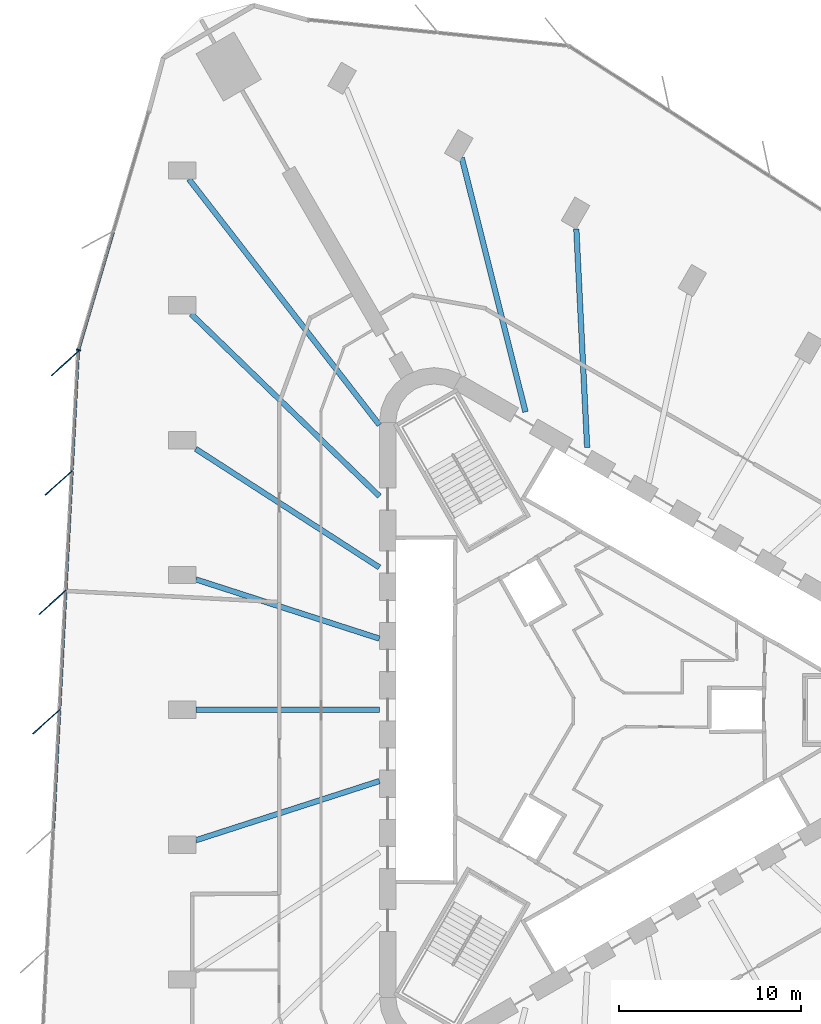
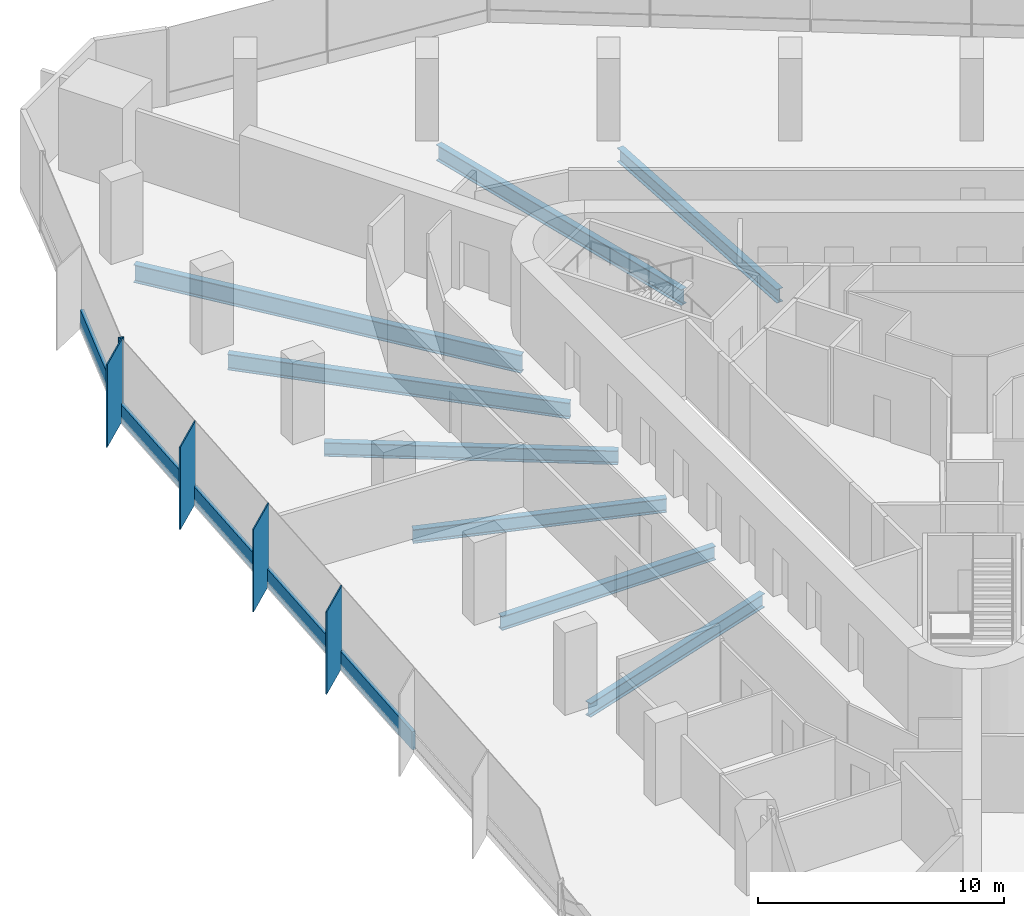
# One storey, part 4 of 14: 10 members, 8 beams, 2 elements without a shape of their own.
"""IFC4 building model written with IfcOpenShell, lengths in metres."""

from ifc_helpers import new_model, si_unit, direction, frame, origin, origin_2d, place, context, subcontext, project, spatial, rectangle, i_section, extrude, material, material_profile, profile_set, type_object, element, aggregate, save


model = new_model("IFC4")

# Units and contexts
model_context = context("Model", 3, precision=1e-05, world=origin(), true_north=direction((0.0, 1.0)))
body_context = subcontext(model_context, "Body", "Model", "MODEL_VIEW")
ifc_project = project(units=[si_unit("LENGTHUNIT", "METRE"), si_unit("AREAUNIT", "SQUARE_METRE"), si_unit("VOLUMEUNIT", "CUBIC_METRE"), si_unit("PLANEANGLEUNIT", "RADIAN"), si_unit("MASSUNIT", "GRAM", prefix="KILO")], contexts=[model_context])

# Site, building, storey
site_placement = place(None, origin())
site = spatial("IfcSite", under=ifc_project, at=site_placement, CompositionType="ELEMENT")
building_placement = place(site_placement, origin())
building = spatial("IfcBuilding", under=site, at=building_placement, Name="Tanit Gate Tower", CompositionType="ELEMENT")
storey_placement = place(building_placement, frame((0.0, 0.0, 111.10009765625)))
storey = spatial("IfcBuildingStorey", under=building, at=storey_placement, Name="L23", CompositionType="ELEMENT", Elevation=111.10009765625)

# Curtain wall, members
ifc_material_1 = material(Name="Aluminium bronze anodised and glass", Category="aluminium")
curtain_wall_type = type_object("IfcCurtainWallType", Name="Curtain wall typical low", PredefinedType="NOTDEFINED", material=ifc_material_1)
curtain_wall_1_placement = place(storey_placement, origin())
curtain_wall_1 = element("IfcCurtainWall", 1, at=curtain_wall_1_placement, inside=storey, type_object=curtain_wall_type, Name="Curtain wall L23 W2", PredefinedType="NOTDEFINED")
ifc_material_2 = material(Name="Aluminium bronze anodised", Category="aluminium")
ifc_material_profile_1 = material_profile(ifc_material_2, rectangle(XDim=2.0, YDim=0.055908203125, at=origin_2d()), Name="56x2000 bronze fin mullion")
ifc_profile_set_1 = profile_set([ifc_material_profile_1], Name="Aluminium bronze anodised")
member_type_1 = type_object("IfcMemberType", Name="FIN MULLION 56x2000 bronze", PredefinedType="MULLION", material=ifc_profile_set_1)
member_1_placement = place(storey_placement, frame((-29.337890625, 18.993408203125, -0.300048828125), z_axis=(0.0, 0.0, 1.0), x_axis=(0.742921658135, 0.669378375715, 0.0)))
member_1 = element("IfcMember", 2, at=member_1_placement, type_object=member_type_1, Name="Fin mullion L23 W2.1", PredefinedType="MULLION", context=body_context, shape_type="SweptSolid", body=[
    extrude(rectangle(XDim=2.0, YDim=0.055908203125, at=origin_2d()), origin(), (0.0, 0.0, 1.0), 4.099853515625),
])
member_2_placement = place(storey_placement, frame((-29.6787109375, 12.444580078125, -0.300048828125), z_axis=(0.0, 0.0, 1.0), x_axis=(0.742921658135, 0.669378375715, 0.0)))
member_2 = element("IfcMember", 3, at=member_2_placement, type_object=member_type_1, Name="Fin mullion L23 W2.2", PredefinedType="MULLION", context=body_context, shape_type="SweptSolid", body=[
    extrude(rectangle(XDim=2.0, YDim=0.055908203125, at=origin_2d()), origin(), (0.0, 0.0, 1.0), 4.099853515625),
])
member_3_placement = place(storey_placement, frame((-30.019775390625, 5.895751953125, -0.300048828125), z_axis=(0.0, 0.0, 1.0), x_axis=(0.742921658135, 0.669378375715, 0.0)))
member_3 = element("IfcMember", 4, at=member_3_placement, type_object=member_type_1, Name="Fin mullion L23 W2.3", PredefinedType="MULLION", context=body_context, shape_type="SweptSolid", body=[
    extrude(rectangle(XDim=2.0, YDim=0.055908203125, at=origin_2d()), origin(), (0.0, 0.0, 1.0), 4.099853515625),
])
member_4_placement = place(storey_placement, frame((-30.36083984375, -0.653076171875, -0.300048828125), z_axis=(0.0, 0.0, 1.0), x_axis=(0.742921658135, 0.669378375715, 0.0)))
member_4 = element("IfcMember", 5, at=member_4_placement, type_object=member_type_1, Name="Fin mullion L23 W2.4", PredefinedType="MULLION", context=body_context, shape_type="SweptSolid", body=[
    extrude(rectangle(XDim=2.0, YDim=0.055908203125, at=origin_2d()), origin(), (0.0, 0.0, 1.0), 4.099853515625),
])

# Curtain wall, member
curtain_wall_2_placement = place(storey_placement, origin())
curtain_wall_2 = element("IfcCurtainWall", 6, at=curtain_wall_2_placement, inside=storey, type_object=curtain_wall_type, Name="Curtain wall L23 W1", PredefinedType="NOTDEFINED")
ifc_material_3 = material(Name="Aluminium bronze anodised", Category="aluminium")
ifc_material_profile_2 = material_profile(ifc_material_3, rectangle(XDim=0.239990234375, YDim=0.080078125, at=origin_2d()), Name="80x240 bronze mullion")
ifc_profile_set_2 = profile_set([ifc_material_profile_2], Name="Aluminium bronze anodised")
member_type_2 = type_object("IfcMemberType", Name="Mullion 80x240 typical low", PredefinedType="MULLION", material=ifc_profile_set_2)
member_5_placement = place(storey_placement, frame((-28.598388671875, 19.72607421875, -0.300048828125), z_axis=(0.0, 0.0, 1.0), x_axis=(0.959260043832, -0.282524633098, 0.0)))
member_5 = element("IfcMember", 7, at=member_5_placement, type_object=member_type_2, Name="Mullion L23 W1.3", PredefinedType="MULLION", context=body_context, shape_type="SweptSolid", body=[
    extrude(rectangle(XDim=0.239990234375, YDim=0.080078125, at=origin_2d()), origin(), (0.0, 0.0, 1.0), 4.099853515625),
])

# Beams
ifc_material_4 = material(Name="Steel S355", Category="steel")
ifc_material_profile_3 = material_profile(ifc_material_4, i_section(OverallWidth=0.300048828125, OverallDepth=0.68994140625, WebThickness=0.014404296875, FlangeThickness=0.027099609375, FilletRadius=0.027099609375, at=origin_2d()), Name="HEA 700")
ifc_profile_set_3 = profile_set([ifc_material_profile_3], Name="Steel S355")
beam_type_1 = type_object("IfcBeamType", Name="RADIAL GIRDER HEA 700 S355", PredefinedType="BEAM", material=ifc_profile_set_3)
beam_1_placement = place(storey_placement, frame((-22.1591796875, -7.1494140625, -0.64501953125), z_axis=(0.951690978909, 0.307057454986, 0.0), x_axis=(-0.307057454986, 0.951690978909, 0.0)))
element("IfcBeam", 8, at=beam_1_placement, inside=storey, type_object=beam_type_1, Name="RADIAL GIRDER", PredefinedType="BEAM", context=body_context, shape_type="SweptSolid", body=[
    extrude(i_section(OverallWidth=0.300048828125, OverallDepth=0.68994140625, WebThickness=0.014404296875, FlangeThickness=0.027099609375, FilletRadius=0.027099609375, at=origin_2d()), origin(), (0.0, 0.0, 1.0), 10.567626953125),
])
beam_2_placement = place(storey_placement, frame((-1.304443359375, 26.356201171875, -0.64501953125), z_axis=(0.049436754849, -0.998777256084, 0.0), x_axis=(0.998777256084, 0.049436754849, 0.0)))
element("IfcBeam", 9, at=beam_2_placement, inside=storey, type_object=beam_type_1, Name="RADIAL GIRDER", PredefinedType="BEAM", context=body_context, shape_type="SweptSolid", body=[
    extrude(i_section(OverallWidth=0.300048828125, OverallDepth=0.68994140625, WebThickness=0.014404296875, FlangeThickness=0.027099609375, FilletRadius=0.027099609375, at=origin_2d()), origin(), (0.0, 0.0, 1.0), 11.985595703125),
])
beam_3_placement = place(storey_placement, frame((-22.173095703125, 14.307861328125, -0.64501953125), z_axis=(0.840246058538, -0.542205275805, 0.0), x_axis=(0.542205275805, 0.840246058538, 0.0)))
element("IfcBeam", 10, at=beam_3_placement, inside=storey, type_object=beam_type_1, Name="RADIAL GIRDER", PredefinedType="BEAM", context=body_context, shape_type="SweptSolid", body=[
    extrude(i_section(OverallWidth=0.300048828125, OverallDepth=0.68994140625, WebThickness=0.014404296875, FlangeThickness=0.027099609375, FilletRadius=0.027099609375, at=origin_2d()), origin(), (0.0, 0.0, 1.0), 11.98583984375),
])
beam_4_placement = place(storey_placement, frame((-22.1591796875, 7.1494140625, -0.64501953125), z_axis=(0.951690978909, -0.307057454986, 0.0), x_axis=(0.307057454986, 0.951690978909, 0.0)))
element("IfcBeam", 11, at=beam_4_placement, inside=storey, type_object=beam_type_1, Name="RADIAL GIRDER", PredefinedType="BEAM", context=body_context, shape_type="SweptSolid", body=[
    extrude(i_section(OverallWidth=0.300048828125, OverallDepth=0.68994140625, WebThickness=0.014404296875, FlangeThickness=0.027099609375, FilletRadius=0.027099609375, at=origin_2d()), origin(), (0.0, 0.0, 1.0), 10.567626953125),
])
beam_5_placement = place(storey_placement, frame((-22.1591796875, 0.0, -0.64501953125), z_axis=(1.0, 0.0, 0.0), x_axis=(0.0, 1.0, 0.0)))
element("IfcBeam", 12, at=beam_5_placement, inside=storey, type_object=beam_type_1, Name="RADIAL GIRDER", PredefinedType="BEAM", context=body_context, shape_type="SweptSolid", body=[
    extrude(i_section(OverallWidth=0.300048828125, OverallDepth=0.68994140625, WebThickness=0.014404296875, FlangeThickness=0.027099609375, FilletRadius=0.027099609375, at=origin_2d()), origin(), (0.0, 0.0, 1.0), 10.05712890625),
])
ifc_material_5 = material(Name="Steel S355", Category="steel")
ifc_material_profile_4 = material_profile(ifc_material_5, i_section(OverallWidth=0.300048828125, OverallDepth=0.7900390625, WebThickness=0.014892578125, FlangeThickness=0.028076171875, FilletRadius=0.030029296875, at=origin_2d()), Name="HEA 800")
ifc_profile_set_4 = profile_set([ifc_material_profile_4], Name="Steel S355")
beam_type_2 = type_object("IfcBeamType", Name="RADIAL GIRDER HEA 800 S355", PredefinedType="BEAM", material=ifc_profile_set_4)
beam_6_placement = place(storey_placement, frame((-7.5830078125, 30.264404296875, -0.695068359375), z_axis=(0.243047731856, -0.970014329811, 0.0), x_axis=(0.970014329811, 0.243047731856, 0.0)))
element("IfcBeam", 13, at=beam_6_placement, inside=storey, type_object=beam_type_2, Name="RADIAL GIRDER", PredefinedType="BEAM", context=body_context, shape_type="SweptSolid", body=[
    extrude(i_section(OverallWidth=0.300048828125, OverallDepth=0.7900390625, WebThickness=0.014892578125, FlangeThickness=0.028076171875, FilletRadius=0.030029296875, at=origin_2d()), origin(), (0.0, 0.0, 1.0), 14.357177734375),
])
beam_7_placement = place(storey_placement, frame((-22.41845703125, 21.69921875, -0.695068359375), z_axis=(0.718541832966, -0.695483741203, 0.0), x_axis=(0.695483741203, 0.718541832966, 0.0)))
element("IfcBeam", 14, at=beam_7_placement, inside=storey, type_object=beam_type_2, Name="RADIAL GIRDER", PredefinedType="BEAM", context=body_context, shape_type="SweptSolid", body=[
    extrude(i_section(OverallWidth=0.300048828125, OverallDepth=0.7900390625, WebThickness=0.014892578125, FlangeThickness=0.028076171875, FilletRadius=0.030029296875, at=origin_2d()), origin(), (0.0, 0.0, 1.0), 14.357421875),
])
ifc_material_6 = material(Name="Steel S355", Category="steel")
ifc_material_profile_5 = material_profile(ifc_material_6, i_section(OverallWidth=0.300048828125, OverallDepth=0.889892578125, WebThickness=0.01611328125, FlangeThickness=0.030029296875, FilletRadius=0.030029296875, at=origin_2d()), Name="HEA 900")
ifc_profile_set_5 = profile_set([ifc_material_profile_5], Name="Steel S355")
beam_type_3 = type_object("IfcBeamType", Name="RADIAL GIRDER HEA 900 S355", PredefinedType="BEAM", material=ifc_profile_set_5)
beam_8_placement = place(storey_placement, frame((-22.541015625, 29.0908203125, -0.7451171875), z_axis=(0.612492683922, -0.790476256533, 0.0), x_axis=(0.790476256533, 0.612492683922, 0.0)))
element("IfcBeam", 15, at=beam_8_placement, inside=storey, type_object=beam_type_3, Name="RADIAL GIRDER", PredefinedType="BEAM", context=body_context, shape_type="SweptSolid", body=[
    extrude(i_section(OverallWidth=0.300048828125, OverallDepth=0.889892578125, WebThickness=0.01611328125, FlangeThickness=0.030029296875, FilletRadius=0.030029296875, at=origin_2d()), origin(), (0.0, 0.0, 1.0), 17.04345703125),
])

# Member
ifc_material_7 = material(Name="Aluminium bronze anodised", Category="aluminium")
ifc_material_profile_6 = material_profile(ifc_material_7, rectangle(XDim=0.159912109375, YDim=0.89990234375, at=origin_2d()), Name="160x900 bronze transom")
ifc_profile_set_6 = profile_set([ifc_material_profile_6], Name="Aluminium bronze anodised")
member_type_3 = type_object("IfcMemberType", Name="Transom 160x900 typical low", PredefinedType="USERDEFINED", material=ifc_profile_set_6)
member_6_placement = place(storey_placement, frame((-26.687744140625, 26.212646484375, 0.14990234375), z_axis=(-0.282526140656, -0.95925959982, 0.0), x_axis=(0.95925959982, -0.282526140656, 0.0)))
member_6 = element("IfcMember", 16, at=member_6_placement, type_object=member_type_3, Name="Transom L23 W1.2", ObjectType="TRANSOM", PredefinedType="USERDEFINED", context=body_context, shape_type="SweptSolid", body=[
    extrude(rectangle(XDim=0.159912109375, YDim=0.89990234375, at=origin_2d()), origin(), (0.0, 0.0, 1.0), 6.72216796875),
])

aggregate(curtain_wall_2, [member_5, member_6])

member_7_placement = place(storey_placement, frame((-28.61376953125, 19.607666015625, 0.14990234375), z_axis=(-0.05201283419, -0.998646416446, 0.0), x_axis=(0.998646416446, -0.05201283419, 0.0)))
member_7 = element("IfcMember", 17, at=member_7_placement, type_object=member_type_3, Name="Transom L23 W2.1", ObjectType="TRANSOM", PredefinedType="USERDEFINED", context=body_context, shape_type="SweptSolid", body=[
    extrude(rectangle(XDim=0.159912109375, YDim=0.89990234375, at=origin_2d()), origin(), (0.0, 0.0, 1.0), 6.4775390625),
])

member_8_placement = place(storey_placement, frame((-28.954833984375, 13.058837890625, 0.14990234375), z_axis=(-0.05201283419, -0.998646416446, 0.0), x_axis=(0.998646416446, -0.05201283419, 0.0)))
member_8 = element("IfcMember", 18, at=member_8_placement, type_object=member_type_3, Name="Transom L23 W2.2", ObjectType="TRANSOM", PredefinedType="USERDEFINED", context=body_context, shape_type="SweptSolid", body=[
    extrude(rectangle(XDim=0.159912109375, YDim=0.89990234375, at=origin_2d()), origin(), (0.0, 0.0, 1.0), 6.4775390625),
])

member_9_placement = place(storey_placement, frame((-29.2958984375, 6.510009765625, 0.14990234375), z_axis=(-0.051975245585, -0.998648373476, 0.0), x_axis=(0.998648373476, -0.051975245585, 0.0)))
member_9 = element("IfcMember", 19, at=member_9_placement, type_object=member_type_3, Name="Transom L23 W2.3", ObjectType="TRANSOM", PredefinedType="USERDEFINED", context=body_context, shape_type="SweptSolid", body=[
    extrude(rectangle(XDim=0.159912109375, YDim=0.89990234375, at=origin_2d()), origin(), (0.0, 0.0, 1.0), 6.4775390625),
])

member_10_placement = place(storey_placement, frame((-29.63671875, -0.038818359375, 0.14990234375), z_axis=(-0.05201283419, -0.998646416446, 0.0), x_axis=(0.998646416446, -0.05201283419, 0.0)))
member_10 = element("IfcMember", 20, at=member_10_placement, type_object=member_type_3, Name="Transom L23 W2.4", ObjectType="TRANSOM", PredefinedType="USERDEFINED", context=body_context, shape_type="SweptSolid", body=[
    extrude(rectangle(XDim=0.159912109375, YDim=0.89990234375, at=origin_2d()), origin(), (0.0, 0.0, 1.0), 6.4775390625),
])

aggregate(curtain_wall_1, [member_1, member_2, member_3, member_4, member_7, member_8, member_9, member_10])

save(model, "model.ifc")
